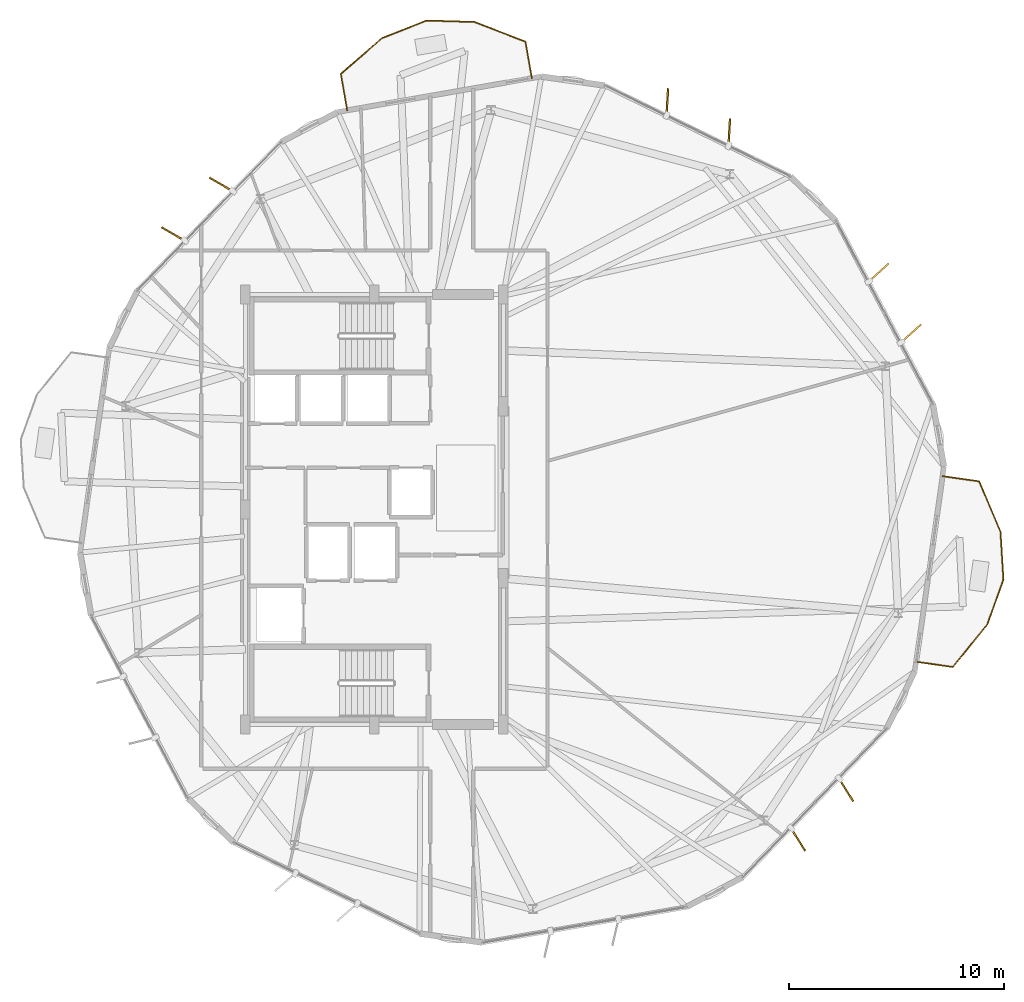
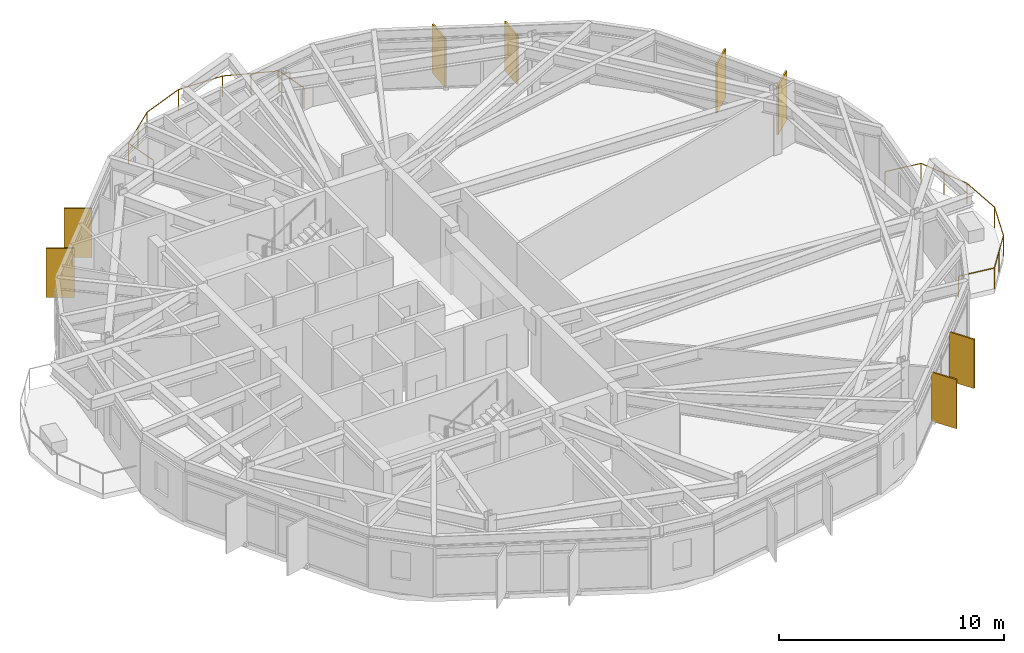
# One storey, part 28 of 28: 8 shading devices, 2 railings.
"""IFC4 building model written with IfcOpenShell, lengths in metres."""

from ifc_helpers import new_model, si_unit, direction, frame, origin, origin_2d, place, context, subcontext, project, spatial, rectangle, circle, extrude, material, layer, layer_set, type_object, element, save


model = new_model("IFC4")

# Units and contexts
model_context = context("Model", 3, precision=1e-05, world=origin(), true_north=direction((0.0, 1.0)))
body_context = subcontext(model_context, "Body", "Model", "MODEL_VIEW")
ifc_project = project(units=[si_unit("LENGTHUNIT", "METRE"), si_unit("AREAUNIT", "SQUARE_METRE"), si_unit("VOLUMEUNIT", "CUBIC_METRE"), si_unit("PLANEANGLEUNIT", "RADIAN"), si_unit("MASSUNIT", "GRAM", prefix="KILO")], contexts=[model_context])

# Site, building, storey
site_placement = place(None, origin())
site = spatial("IfcSite", under=ifc_project, at=site_placement, CompositionType="ELEMENT")
building_placement = place(site_placement, origin())
building = spatial("IfcBuilding", under=site, at=building_placement, Name="Soratama Intermodal Tower", CompositionType="ELEMENT")
storey_placement = place(building_placement, frame((0.0, 0.0, 201.39990234375)))
storey = spatial("IfcBuildingStorey", under=building, at=storey_placement, Name="L50", CompositionType="ELEMENT", Elevation=201.39990234375)

# Railings
ifc_material_1 = material(Name="Laminated glass and stainless steel balustrade", Category="steel")
railing_type = type_object("IfcRailingType", Name="RL-BAL-1150", PredefinedType="BALUSTRADE", material=ifc_material_1)
railing_1_placement = place(storey_placement, frame((65.02880859375, 26.555419921875, 0.0)))
element("IfcRailing", 1, at=railing_1_placement, inside=storey, type_object=railing_type, Name="L50 Balcony Balustrade 1", PredefinedType="BALUSTRADE", context=body_context, shape_type="SweptSolid", body=[
    extrude(circle(Radius=0.02392578125, at=origin_2d()), frame((0.0, 0.0, 1.1259765625), z_axis=(0.990017509021, -0.140944428166, 0.0), x_axis=(0.140944428166, 0.990017509021, 0.0)), (0.0, 0.0, 1.0), 1.719970703125),
    extrude(circle(Radius=0.02392578125, at=origin_2d()), frame((1.702880859375, -0.242431640625, 1.1259765625), z_axis=(0.389352011082, -0.92108903558, 0.0), x_axis=(0.92108903558, 0.389352011082, 0.0)), (0.0, 0.0, 1.0), 2.54443359375),
    extrude(circle(Radius=0.02392578125, at=origin_2d()), frame((2.693603515625, -2.586181640625, 1.1259765625), z_axis=(0.061613822027, -0.998100063588, 0.0), x_axis=(0.998100063588, 0.061613822027, 0.0)), (0.0, 0.0, 1.0), 2.226806640625),
    extrude(circle(Radius=0.02392578125, at=origin_2d()), frame((2.830810546875, -4.808837890625, 1.1259765625), z_axis=(-0.337690422529, -0.941257232924, 0.0), x_axis=(0.941257232924, -0.337690422529, 0.0)), (0.0, 0.0, 1.0), 2.226806640625),
    extrude(circle(Radius=0.02392578125, at=origin_2d()), frame((2.078857421875, -6.90478515625, 1.1259765625), z_axis=(-0.630794864365, -0.775949636955, 0.0), x_axis=(0.775949636955, -0.630794864365, 0.0)), (0.0, 0.0, 1.0), 2.544677734375),
    extrude(circle(Radius=0.02392578125, at=origin_2d()), frame((0.4736328125, -8.87939453125, 1.1259765625), z_axis=(-0.990014688782, 0.140964236587, 0.0), x_axis=(-0.140964236587, -0.990014688782, 0.0)), (0.0, 0.0, 1.0), 1.7197265625),
    extrude(circle(Radius=0.02099609375, at=origin_2d()), origin(), (0.0, 0.0, 1.0), 1.101806640625),
    extrude(circle(Radius=0.02099609375, at=origin_2d()), frame((1.702880859375, -0.242431640625, 0.0)), (0.0, 0.0, 1.0), 1.101806640625),
    extrude(circle(Radius=0.02099609375, at=origin_2d()), frame((2.1982421875, -1.414306640625, 0.0)), (0.0, 0.0, 1.0), 1.101806640625),
    extrude(circle(Radius=0.02099609375, at=origin_2d()), frame((2.693603515625, -2.586181640625, 0.0)), (0.0, 0.0, 1.0), 1.101806640625),
    extrude(circle(Radius=0.02099609375, at=origin_2d()), frame((2.830810546875, -4.808837890625, 0.0)), (0.0, 0.0, 1.0), 1.101806640625),
    extrude(circle(Radius=0.02099609375, at=origin_2d()), frame((2.078857421875, -6.90478515625, 0.0)), (0.0, 0.0, 1.0), 1.101806640625),
    extrude(circle(Radius=0.02099609375, at=origin_2d()), frame((1.2763671875, -7.89208984375, 0.0)), (0.0, 0.0, 1.0), 1.101806640625),
    extrude(circle(Radius=0.02099609375, at=origin_2d()), frame((0.4736328125, -8.87939453125, 0.0)), (0.0, 0.0, 1.0), 1.101806640625),
    extrude(circle(Radius=0.02099609375, at=origin_2d()), frame((-1.22900390625, -8.636962890625, 0.0)), (0.0, 0.0, 1.0), 1.101806640625),
])
railing_2_placement = place(storey_placement, frame((37.331298828125, 43.568115234375, 0.0)))
element("IfcRailing", 2, at=railing_2_placement, inside=storey, type_object=railing_type, Name="L50 Balcony Balustrade 2", PredefinedType="BALUSTRADE", context=body_context, shape_type="SweptSolid", body=[
    extrude(circle(Radius=0.02392578125, at=origin_2d()), frame((0.0, 0.0, 1.1259765625), z_axis=(-0.171898258205, 0.985114708461, 0.0), x_axis=(-0.985114708461, -0.171898258205, 0.0)), (0.0, 0.0, 1.0), 1.719970703125),
    extrude(circle(Radius=0.02392578125, at=origin_2d()), frame((-0.295654296875, 1.6943359375, 1.1259765625), z_axis=(0.755771386344, 0.654835560721, 0.0), x_axis=(-0.654835560721, 0.755771386344, 0.0)), (0.0, 0.0, 1.0), 2.54443359375),
    extrude(circle(Radius=0.02392578125, at=origin_2d()), frame((1.62744140625, 3.360595703125, 1.1259765625), z_axis=(0.930205462166, 0.367039232449, 0.0), x_axis=(-0.367039232449, 0.930205462166, 0.0)), (0.0, 0.0, 1.0), 2.22705078125),
    extrude(circle(Radius=0.02392578125, at=origin_2d()), frame((3.698974609375, 4.177978515625, 1.1259765625), z_axis=(0.999541983541, -0.030262569927, 0.0), x_axis=(0.030262569927, 0.999541983541, 0.0)), (0.0, 0.0, 1.0), 2.2265625),
    extrude(circle(Radius=0.02392578125, at=origin_2d()), frame((5.924560546875, 4.110595703125, 1.1259765625), z_axis=(0.932894857386, -0.360148837374, 0.0), x_axis=(0.360148837374, 0.932894857386, 0.0)), (0.0, 0.0, 1.0), 2.544677734375),
    extrude(circle(Radius=0.02392578125, at=origin_2d()), frame((8.298583984375, 3.194091796875, 1.1259765625), z_axis=(0.171898258205, -0.985114708461, 0.0), x_axis=(0.985114708461, 0.171898258205, 0.0)), (0.0, 0.0, 1.0), 1.719970703125),
    extrude(circle(Radius=0.02099609375, at=origin_2d()), origin(), (0.0, 0.0, 1.0), 1.101806640625),
    extrude(circle(Radius=0.02099609375, at=origin_2d()), frame((-0.295654296875, 1.6943359375, 0.0)), (0.0, 0.0, 1.0), 1.101806640625),
    extrude(circle(Radius=0.02099609375, at=origin_2d()), frame((0.666015625, 2.52734375, 0.0)), (0.0, 0.0, 1.0), 1.101806640625),
    extrude(circle(Radius=0.02099609375, at=origin_2d()), frame((1.62744140625, 3.360595703125, 0.0)), (0.0, 0.0, 1.0), 1.101806640625),
    extrude(circle(Radius=0.02099609375, at=origin_2d()), frame((3.698974609375, 4.177978515625, 0.0)), (0.0, 0.0, 1.0), 1.101806640625),
    extrude(circle(Radius=0.02099609375, at=origin_2d()), frame((5.924560546875, 4.110595703125, 0.0)), (0.0, 0.0, 1.0), 1.101806640625),
    extrude(circle(Radius=0.02099609375, at=origin_2d()), frame((7.111572265625, 3.65234375, 0.0)), (0.0, 0.0, 1.0), 1.101806640625),
    extrude(circle(Radius=0.02099609375, at=origin_2d()), frame((8.298583984375, 3.194091796875, 0.0)), (0.0, 0.0, 1.0), 1.101806640625),
    extrude(circle(Radius=0.02099609375, at=origin_2d()), frame((8.59423828125, 1.499755859375, 0.0)), (0.0, 0.0, 1.0), 1.101806640625),
])

# Shading devices
ifc_material_2 = material(Name="Champagne anodised aluminium solar fin", Category="aluminium")
ifc_layer = layer(ifc_material_2, 0.080078125)
ifc_layer_set = layer_set([ifc_layer], Name="Champagne anodised aluminium solar fin")
shading_device_type = type_object("IfcShadingDeviceType", Name="SH-FIN-1250", PredefinedType="USERDEFINED", material=ifc_layer_set)
for number, where, z_axis, x_axis, name in (
    (3, (55.1044921875, 42.548583984375, 0.02001953125), (0.0, 0.0, 1.0), (0.05704128854, 0.998371820216, 0.0), "L50 Solar Fin F01-1"),
    (4, (52.223388671875, 43.9599609375, 0.02001953125), (0.0, 0.0, 1.0), (0.05704128854, 0.998371820216, 0.0), "L50 Solar Fin F01-2"),
    (5, (31.47509765625, 40.12109375, 0.02001953125), (0.0, 0.0, 1.0), (-0.866112657056, 0.499848842438, 0.0), "L50 Solar Fin F03-1"),
    (6, (29.24267578125, 37.8173828125, 0.02001953125), (0.0, 0.0, 1.0), (-0.866112657056, 0.499848842438, 0.0), "L50 Solar Fin F03-2"),
    (7, (58.305908203125, 9.653076171875, 0.02001953125), (0.0, 0.0, 1.0), (0.526807453214, -0.849984651178, 0.0), "L50 Solar Fin F08-1"),
    (8, (60.53857421875, 11.956787109375, 0.02001953125), (0.0, 0.0, 1.0), (0.526807453214, -0.849984651178, 0.0), "L50 Solar Fin F08-2"),
    (9, (63.560302734375, 33.190185546875, 0.02001953125), (0.0, 0.0, 1.0), (0.743028028837, 0.669260299407, 0.0), "L50 Solar Fin F10-1"),
    (10, (62.059326171875, 36.025390625, 0.02001953125), (0.0, 0.0, 1.0), (0.743028028837, 0.669260299407, 0.0), "L50 Solar Fin F10-2"),
):
    element("IfcShadingDevice", number, at=place(storey_placement, frame(where, z_axis=z_axis, x_axis=x_axis)), inside=storey, type_object=shading_device_type, Name=name, ObjectType="FIN", PredefinedType="USERDEFINED", context=body_context, shape_type="SweptSolid", body=[
        extrude(rectangle(XDim=1.25, YDim=0.080078125, at=origin_2d()), origin(), (0.0, 0.0, 1.0), 2.658935546875),
    ])

save(model, "model.ifc")
